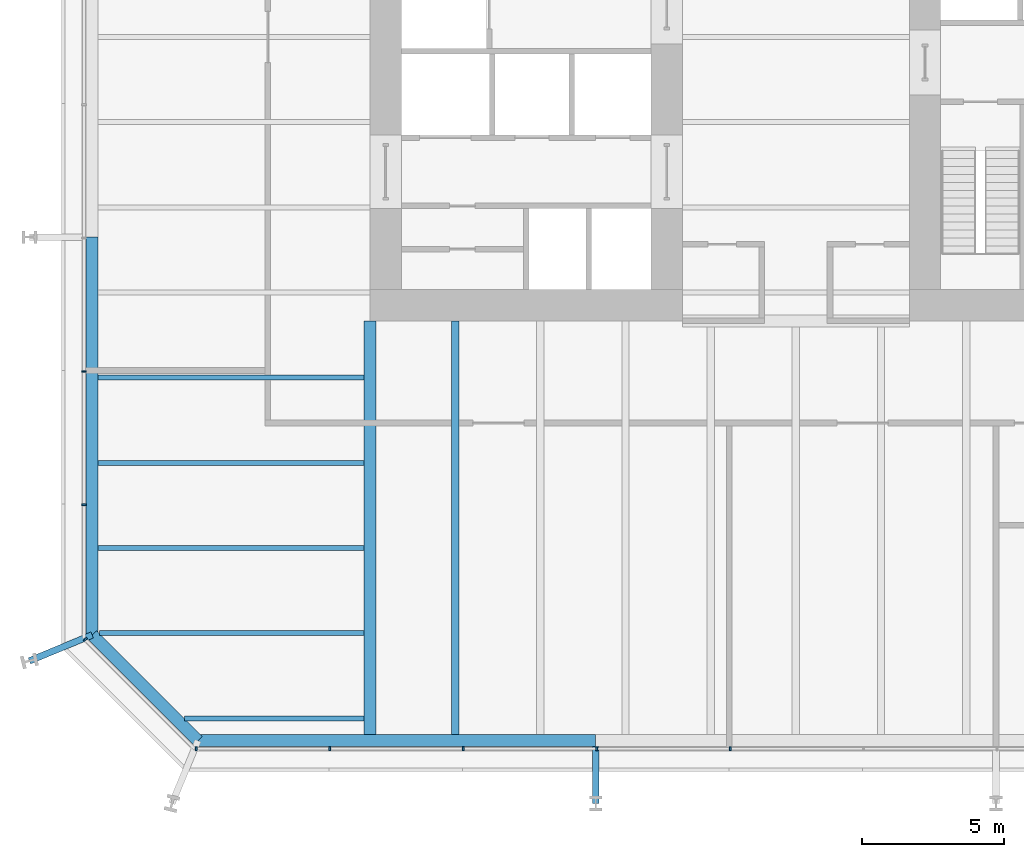
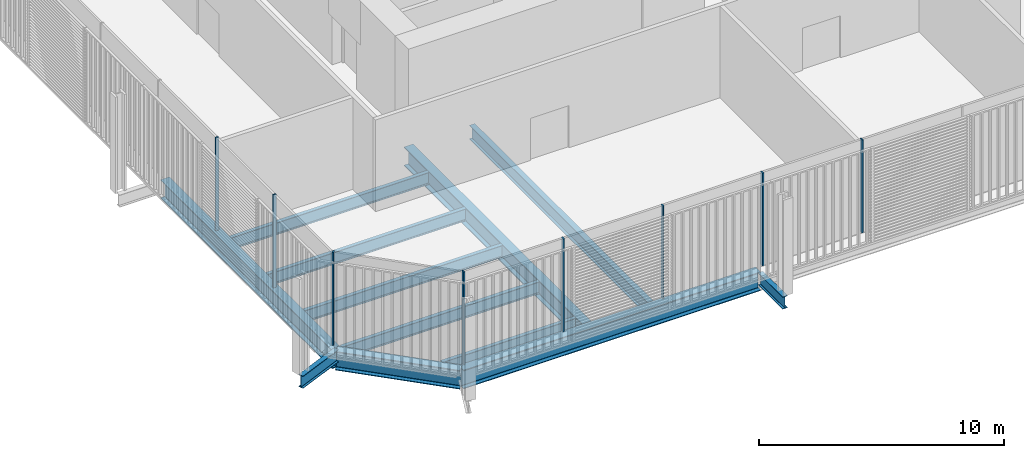
# One storey, part 2 of 22: 12 beams, 8 members, 3 elements without a shape of their own.
"""IFC4 building model written with IfcOpenShell, lengths in metres."""

from ifc_helpers import new_model, si_unit, direction, frame, origin, origin_2d, place, context, subcontext, project, spatial, rectangle, i_section, extrude, material, layer, layer_set, material_profile, profile_set, type_object, element, aggregate, save


model = new_model("IFC4")

# Units and contexts
model_context = context("Model", 3, precision=1e-05, world=origin(), true_north=direction((0.0, 1.0)))
body_context = subcontext(model_context, "Body", "Model", "MODEL_VIEW")
ifc_project = project(units=[si_unit("LENGTHUNIT", "METRE"), si_unit("AREAUNIT", "SQUARE_METRE"), si_unit("VOLUMEUNIT", "CUBIC_METRE"), si_unit("PLANEANGLEUNIT", "RADIAN"), si_unit("MASSUNIT", "GRAM", prefix="KILO")], contexts=[model_context])

# Site, building, storey
site_placement = place(None, origin())
site = spatial("IfcSite", under=ifc_project, at=site_placement, CompositionType="ELEMENT")
building_placement = place(site_placement, origin())
building = spatial("IfcBuilding", under=site, at=building_placement, Name="Millrace Tower", CompositionType="ELEMENT")
storey_placement = place(building_placement, frame((0.0, 0.0, 40.10009765625)))
storey = spatial("IfcBuildingStorey", under=building, at=storey_placement, Name="L09", CompositionType="ELEMENT", Elevation=40.10009765625)

# Curtain wall, member
ifc_material_1 = material(Name="Aluminium and glass", Category="aluminium")
ifc_layer = layer(ifc_material_1, 0.14990234375)
ifc_layer_set = layer_set([ifc_layer], Name="Aluminium and glass")
curtain_wall_type = type_object("IfcCurtainWallType", Name="CW-2 data hall insulated curtain wall", PredefinedType="NOTDEFINED", material=ifc_layer_set)
placement = place(storey_placement, origin())
curtain_wall_1 = element("IfcCurtainWall", 1, at=placement, inside=storey, type_object=curtain_wall_type, Name="Curtain wall A-F01 L09", PredefinedType="NOTDEFINED")
ifc_material_2 = material(Name="Aluminium", Category="aluminium")
ifc_material_profile_1 = material_profile(ifc_material_2, rectangle(XDim=0.06494140625, YDim=0.14990234375, at=origin_2d()))
ifc_profile_set_1 = profile_set([ifc_material_profile_1], Name="Aluminium")
member_type = type_object("IfcMemberType", Name="CW-2 data hall insulated curtain wall mullion", PredefinedType="MULLION", material=ifc_profile_set_1)
member_1_placement = place(storey_placement, frame((-25.030029296875, -21.22607421875, 0.159912109375), z_axis=(0.0, 0.0, 1.0), x_axis=(0.707106781187, -0.707106781187, 0.0)))
member_1 = element("IfcMember", 2, at=member_1_placement, type_object=member_type, Name="CW2 mullion A-F01.1", PredefinedType="MULLION", context=body_context, shape_type="SweptSolid", body=[
    extrude(rectangle(XDim=0.06494140625, YDim=0.14990234375, at=origin_2d()), origin(), (0.0, 0.0, 1.0), 4.639892578125),
])
aggregate(curtain_wall_1, [member_1])

# Curtain wall, members
curtain_wall_2 = element("IfcCurtainWall", 3, at=placement, inside=storey, type_object=curtain_wall_type, Name="Curtain wall A-F02 L09", PredefinedType="NOTDEFINED")
member_2_placement = place(storey_placement, frame((-21.117431640625, -25.074951171875, 0.159912109375), z_axis=(0.0, 0.0, 1.0), x_axis=(1.0, 0.0, 0.0)))
member_2 = element("IfcMember", 4, at=member_2_placement, type_object=member_type, Name="CW2 mullion A-F02.1", PredefinedType="MULLION", context=body_context, shape_type="SweptSolid", body=[
    extrude(rectangle(XDim=0.06494140625, YDim=0.14990234375, at=origin_2d()), origin(), (0.0, 0.0, 1.0), 4.639892578125),
])
member_3_placement = place(storey_placement, frame((-16.41748046875, -25.074951171875, 0.159912109375), z_axis=(0.0, 0.0, 1.0), x_axis=(1.0, 0.0, 0.0)))
member_3 = element("IfcMember", 5, at=member_3_placement, type_object=member_type, Name="CW2 mullion A-F02.2", PredefinedType="MULLION", context=body_context, shape_type="SweptSolid", body=[
    extrude(rectangle(XDim=0.06494140625, YDim=0.14990234375, at=origin_2d()), origin(), (0.0, 0.0, 1.0), 4.639892578125),
])
member_4_placement = place(storey_placement, frame((-11.717529296875, -25.074951171875, 0.159912109375), z_axis=(0.0, 0.0, 1.0), x_axis=(1.0, 0.0, 0.0)))
member_4 = element("IfcMember", 6, at=member_4_placement, type_object=member_type, Name="CW2 mullion A-F02.3", PredefinedType="MULLION", context=body_context, shape_type="SweptSolid", body=[
    extrude(rectangle(XDim=0.06494140625, YDim=0.14990234375, at=origin_2d()), origin(), (0.0, 0.0, 1.0), 4.639892578125),
])
member_5_placement = place(storey_placement, frame((-7.017578125, -25.074951171875, 0.159912109375), z_axis=(0.0, 0.0, 1.0), x_axis=(1.0, 0.0, 0.0)))
member_5 = element("IfcMember", 7, at=member_5_placement, type_object=member_type, Name="CW2 mullion A-F02.4", PredefinedType="MULLION", context=body_context, shape_type="SweptSolid", body=[
    extrude(rectangle(XDim=0.06494140625, YDim=0.14990234375, at=origin_2d()), origin(), (0.0, 0.0, 1.0), 4.639892578125),
])
member_6_placement = place(storey_placement, frame((-2.3173828125, -25.074951171875, 0.159912109375), z_axis=(0.0, 0.0, 1.0), x_axis=(1.0, 0.0, 0.0)))
member_6 = element("IfcMember", 8, at=member_6_placement, type_object=member_type, Name="CW2 mullion A-F02.5", PredefinedType="MULLION", context=body_context, shape_type="SweptSolid", body=[
    extrude(rectangle(XDim=0.06494140625, YDim=0.14990234375, at=origin_2d()), origin(), (0.0, 0.0, 1.0), 4.639892578125),
])
aggregate(curtain_wall_2, [member_2, member_3, member_4, member_5, member_6])

curtain_wall_3 = element("IfcCurtainWall", 9, at=placement, inside=storey, type_object=curtain_wall_type, Name="Curtain wall A-F08 L09", PredefinedType="NOTDEFINED")
member_7_placement = place(storey_placement, frame((-25.074951171875, -11.782470703125, 0.159912109375), z_axis=(0.0, 0.0, 1.0), x_axis=(0.0, -1.0, 0.0)))
member_7 = element("IfcMember", 10, at=member_7_placement, type_object=member_type, Name="CW2 mullion A-F08.8", PredefinedType="MULLION", context=body_context, shape_type="SweptSolid", body=[
    extrude(rectangle(XDim=0.06494140625, YDim=0.14990234375, at=origin_2d()), origin(), (0.0, 0.0, 1.0), 4.639892578125),
])
member_8_placement = place(storey_placement, frame((-25.074951171875, -16.482421875, 0.159912109375), z_axis=(0.0, 0.0, 1.0), x_axis=(0.0, -1.0, 0.0)))
member_8 = element("IfcMember", 11, at=member_8_placement, type_object=member_type, Name="CW2 mullion A-F08.9", PredefinedType="MULLION", context=body_context, shape_type="SweptSolid", body=[
    extrude(rectangle(XDim=0.06494140625, YDim=0.14990234375, at=origin_2d()), origin(), (0.0, 0.0, 1.0), 4.639892578125),
])
aggregate(curtain_wall_3, [member_7, member_8])

# Beams
ifc_material_3 = material(Name="Steel ASTM A992 Grade 50", Category="steel")
ifc_material_profile_2 = material_profile(ifc_material_3, i_section(OverallWidth=0.177978515625, OverallDepth=0.599365234375, WebThickness=0.010009765625, FlangeThickness=0.012939453125, FilletRadius=0.012939453125, at=origin_2d()))
ifc_profile_set_2 = profile_set([ifc_material_profile_2], Name="Steel ASTM A992 Grade 50")
beam_type_1 = type_object("IfcBeamType", Name="Floor beam W24x55", PredefinedType="JOIST", material=ifc_profile_set_2)
beam_1_placement = place(storey_placement, frame((-21.52978515625, -24.0, -0.52490234375), z_axis=(1.0, 0.0, 0.0), x_axis=(0.0, 1.0, 0.0)))
element("IfcBeam", 12, at=beam_1_placement, inside=storey, type_object=beam_type_1, Name="BM-A-L09-S1-S001", PredefinedType="JOIST", context=body_context, shape_type="SweptSolid", body=[
    extrude(i_section(OverallWidth=0.177978515625, OverallDepth=0.599365234375, WebThickness=0.010009765625, FlangeThickness=0.012939453125, FilletRadius=0.012939453125, at=origin_2d()), origin(), (0.0, 0.0, 1.0), 6.317626953125),
])
ifc_material_4 = material(Name="Steel ASTM A992 Grade 50", Category="steel")
ifc_material_profile_3 = material_profile(ifc_material_4, i_section(OverallWidth=0.1787109375, OverallDepth=0.60205078125, WebThickness=0.010986328125, FlangeThickness=0.014892578125, FilletRadius=0.0126953125, at=origin_2d()))
ifc_profile_set_3 = profile_set([ifc_material_profile_3], Name="Steel ASTM A992 Grade 50")
beam_type_2 = type_object("IfcBeamType", Name="Floor beam W24x62", PredefinedType="JOIST", material=ifc_profile_set_3)
for number, where, z_axis, x_axis, name in (
    (13, (-24.578369140625, -18.0, -0.526123046875), (1.0, 0.0, 0.0), (0.0, 1.0, 0.0), "BM-A-L09-S1-S005"),
    (14, (-24.578369140625, -15.0, -0.526123046875), (1.0, 0.0, 0.0), (0.0, 1.0, 0.0), "BM-A-L09-S1-S007"),
    (15, (-24.578369140625, -12.0, -0.526123046875), (1.0, 0.0, 0.0), (0.0, 1.0, 0.0), "BM-A-L09-S1-S009"),
):
    element("IfcBeam", number, at=place(storey_placement, frame(where, z_axis=z_axis, x_axis=x_axis)), inside=storey, type_object=beam_type_2, Name=name, PredefinedType="JOIST", context=body_context, shape_type="SweptSolid", body=[
        extrude(i_section(OverallWidth=0.1787109375, OverallDepth=0.60205078125, WebThickness=0.010986328125, FlangeThickness=0.014892578125, FilletRadius=0.0126953125, at=origin_2d()), origin(), (0.0, 0.0, 1.0), 9.3662109375),
    ])
beam_2_placement = place(storey_placement, frame((-24.52978515625, -21.0, -0.526123046875), z_axis=(1.0, 0.0, 0.0), x_axis=(0.0, 1.0, 0.0)))
element("IfcBeam", 16, at=beam_2_placement, inside=storey, type_object=beam_type_2, Name="BM-A-L09-S1-S003", PredefinedType="JOIST", context=body_context, shape_type="SweptSolid", body=[
    extrude(i_section(OverallWidth=0.1787109375, OverallDepth=0.60205078125, WebThickness=0.010986328125, FlangeThickness=0.014892578125, FilletRadius=0.0126953125, at=origin_2d()), origin(), (0.0, 0.0, 1.0), 9.317626953125),
])
ifc_material_5 = material(Name="Steel ASTM A992 Grade 50", Category="steel")
ifc_material_profile_4 = material_profile(ifc_material_5, i_section(OverallWidth=0.256591796875, OverallDepth=0.693359375, WebThickness=0.014404296875, FlangeThickness=0.023681640625, FilletRadius=0.01513671875, at=origin_2d()))
ifc_profile_set_4 = profile_set([ifc_material_profile_4], Name="Steel ASTM A992 Grade 50")
beam_type_3 = type_object("IfcBeamType", Name="Floor beam W27x114", PredefinedType="JOIST", material=ifc_profile_set_4)
beam_3_placement = place(storey_placement, frame((-12.0, -24.578369140625, -0.57177734375), z_axis=(0.0, 1.0, 0.0), x_axis=(-1.0, 0.0, 0.0)))
element("IfcBeam", 17, at=beam_3_placement, inside=storey, type_object=beam_type_3, Name="BM-A-L09-S1-S043", PredefinedType="JOIST", context=body_context, shape_type="SweptSolid", body=[
    extrude(i_section(OverallWidth=0.256591796875, OverallDepth=0.693359375, WebThickness=0.014404296875, FlangeThickness=0.023681640625, FilletRadius=0.01513671875, at=origin_2d()), origin(), (0.0, 0.0, 1.0), 14.578369140625),
])
ifc_material_6 = material(Name="Steel ASTM A992 Grade 50", Category="steel")
ifc_material_profile_5 = material_profile(ifc_material_6, i_section(OverallWidth=0.424072265625, OverallDepth=0.947509765625, WebThickness=0.02392578125, FlangeThickness=0.042724609375, FilletRadius=0.024169921875, at=origin_2d()))
ifc_profile_set_5 = profile_set([ifc_material_profile_5], Name="Steel ASTM A992 Grade 50")
beam_type_4 = type_object("IfcBeamType", Name="Girder medium span W36x302", PredefinedType="BEAM", material=ifc_profile_set_5)
beam_4_placement = place(storey_placement, frame((-15.0, -24.578369140625, -0.69873046875), z_axis=(0.0, 1.0, 0.0), x_axis=(-1.0, 0.0, 0.0)))
element("IfcBeam", 18, at=beam_4_placement, inside=storey, type_object=beam_type_4, Name="BM-A-L09-S1-G061", PredefinedType="BEAM", context=body_context, shape_type="SweptSolid", body=[
    extrude(i_section(OverallWidth=0.424072265625, OverallDepth=0.947509765625, WebThickness=0.02392578125, FlangeThickness=0.042724609375, FilletRadius=0.024169921875, at=origin_2d()), origin(), (0.0, 0.0, 1.0), 14.578369140625),
])
ifc_material_7 = material(Name="Steel ASTM A992 Grade 50", Category="steel")
ifc_material_profile_6 = material_profile(ifc_material_7, i_section(OverallWidth=0.23046875, OverallDepth=0.6171875, WebThickness=0.01318359375, FlangeThickness=0.022216796875, FilletRadius=0.012939453125, at=origin_2d()))
ifc_profile_set_6 = profile_set([ifc_material_profile_6], Name="Steel ASTM A992 Grade 50")
beam_type_5 = type_object("IfcBeamType", Name="Link beam W24x94", PredefinedType="BEAM", material=ifc_profile_set_6)
beam_5_placement = place(storey_placement, frame((-24.7890625, -21.062744140625, -0.53369140625), z_axis=(-0.923883789366, -0.382673155247, 0.0), x_axis=(0.382673155247, -0.923883789366, 0.0)))
element("IfcBeam", 19, at=beam_5_placement, inside=storey, type_object=beam_type_5, Name="LNK-A-L09-S1-01", PredefinedType="BEAM", context=body_context, shape_type="SweptSolid", body=[
    extrude(i_section(OverallWidth=0.23046875, OverallDepth=0.6171875, WebThickness=0.01318359375, FlangeThickness=0.022216796875, FilletRadius=0.012939453125, at=origin_2d()), origin(), (0.0, 0.0, 1.0), 2.39306640625),
])
beam_6_placement = place(storey_placement, frame((-7.050048828125, -25.0, -0.53369140625), z_axis=(0.0, -1.0, 0.0), x_axis=(1.0, 0.0, 0.0)))
element("IfcBeam", 20, at=beam_6_placement, inside=storey, type_object=beam_type_5, Name="LNK-A-L09-S1-15", PredefinedType="BEAM", context=body_context, shape_type="SweptSolid", body=[
    extrude(i_section(OverallWidth=0.23046875, OverallDepth=0.6171875, WebThickness=0.01318359375, FlangeThickness=0.022216796875, FilletRadius=0.012939453125, at=origin_2d()), origin(), (0.0, 0.0, 1.0), 2.0),
])
ifc_material_8 = material(Name="Steel ASTM A992 Grade 50", Category="steel")
ifc_material_profile_7 = material_profile(ifc_material_8, i_section(OverallWidth=0.421630859375, OverallDepth=0.937255859375, WebThickness=0.021240234375, FlangeThickness=0.03662109375, FilletRadius=0.024169921875, at=origin_2d()))
ifc_profile_set_7 = profile_set([ifc_material_profile_7], Name="Steel ASTM A992 Grade 50")
beam_type_6 = type_object("IfcBeamType", Name="Ring beam medium span W36x262", PredefinedType="SPANDREL", material=ifc_profile_set_7)
for number, where, z_axis, x_axis, name in (
    (21, (-24.7890625, -21.062744140625, -0.69384765625), (0.0, 1.0, 0.0), (-1.0, 0.0, 0.0), "RNG-A-L09-S1-01"),
    (22, (-7.050048828125, -24.7890625, -0.69384765625), (-1.0, 0.0, 0.0), (0.0, -1.0, 0.0), "RNG-A-L09-S1-15"),
):
    element("IfcBeam", number, at=place(storey_placement, frame(where, z_axis=z_axis, x_axis=x_axis)), inside=storey, type_object=beam_type_6, Name=name, PredefinedType="SPANDREL", context=body_context, shape_type="SweptSolid", body=[
        extrude(i_section(OverallWidth=0.421630859375, OverallDepth=0.937255859375, WebThickness=0.021240234375, FlangeThickness=0.03662109375, FilletRadius=0.024169921875, at=origin_2d()), origin(), (0.0, 0.0, 1.0), 14.0126953125),
    ])
ifc_material_9 = material(Name="Steel ASTM A992 Grade 50", Category="steel")
ifc_material_profile_8 = material_profile(ifc_material_9, i_section(OverallWidth=0.421630859375, OverallDepth=0.937255859375, WebThickness=0.021240234375, FlangeThickness=0.03662109375, FilletRadius=0.024169921875, at=origin_2d()))
ifc_profile_set_8 = profile_set([ifc_material_profile_8], Name="Steel ASTM A992 Grade 50")
beam_type_7 = type_object("IfcBeamType", Name="Ring beam short span W36x262", PredefinedType="SPANDREL", material=ifc_profile_set_8)
beam_7_placement = place(storey_placement, frame((-21.062744140625, -24.7890625, -0.69384765625), z_axis=(-0.707106781187, 0.707106781187, 0.0), x_axis=(-0.707106781187, -0.707106781187, 0.0)))
element("IfcBeam", 23, at=beam_7_placement, inside=storey, type_object=beam_type_7, Name="RNG-A-L09-S1-16", PredefinedType="SPANDREL", context=body_context, shape_type="SweptSolid", body=[
    extrude(i_section(OverallWidth=0.421630859375, OverallDepth=0.937255859375, WebThickness=0.021240234375, FlangeThickness=0.03662109375, FilletRadius=0.024169921875, at=origin_2d()), origin(), (0.0, 0.0, 1.0), 5.269775390625),
])

save(model, "model.ifc")
